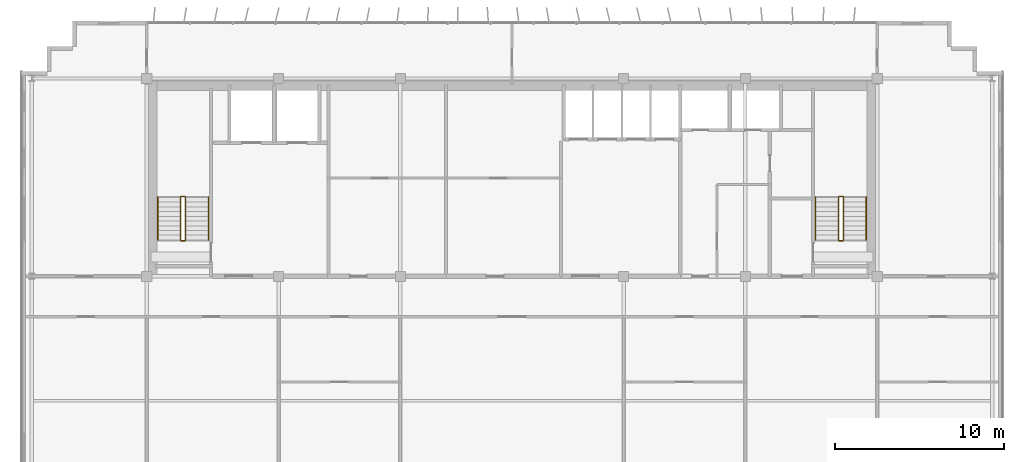
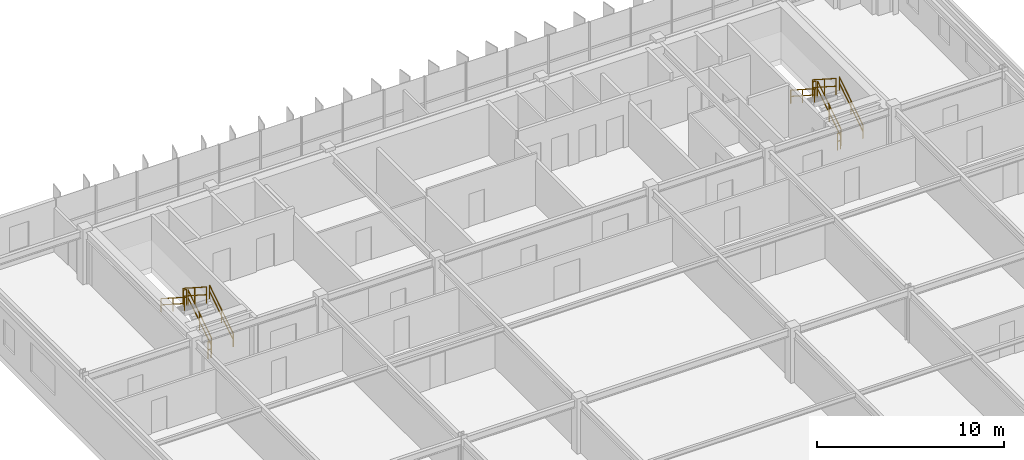
# One storey, part 21 of 21: 12 railings.
"""IFC4 building model written with IfcOpenShell, lengths in metres."""

from ifc_helpers import new_model, si_unit, direction, frame, origin, origin_2d, place, context, subcontext, project, spatial, rectangle, extrude, material, type_object, element, save


model = new_model("IFC4")

# Units and contexts
model_context = context("Model", 3, precision=1e-05, world=origin(), true_north=direction((0.0, 1.0)))
body_context = subcontext(model_context, "Body", "Model", "MODEL_VIEW")
ifc_project = project(units=[si_unit("LENGTHUNIT", "METRE"), si_unit("AREAUNIT", "SQUARE_METRE"), si_unit("VOLUMEUNIT", "CUBIC_METRE"), si_unit("PLANEANGLEUNIT", "RADIAN"), si_unit("MASSUNIT", "GRAM", prefix="KILO")], contexts=[model_context])

# Site, building, storey
site_placement = place(None, origin())
site = spatial("IfcSite", under=ifc_project, at=site_placement, CompositionType="ELEMENT")
building_placement = place(site_placement, origin())
building = spatial("IfcBuilding", under=site, at=building_placement, Name="Trelvane Seafront Commons", CompositionType="ELEMENT")
storey_placement = place(building_placement, frame((0.0, 0.0, 248.699951171875)))
storey = spatial("IfcBuildingStorey", under=building, at=storey_placement, Name="L64", CompositionType="ELEMENT", Elevation=248.699951171875)

# Railings
ifc_material = material(Name="Stainless steel balustrade", Category="steel")
railing_type_1 = type_object("IfcRailingType", Name="ARCH-SRL-GUARD", PredefinedType="GUARDRAIL", material=ifc_material)
railing_1_placement = place(storey_placement, frame((17.89990234375, 35.550048828125, 0.179931640625)))
element("IfcRailing", 1, at=railing_1_placement, inside=storey, type_object=railing_type_1, Name="L64 ST-1 stair guard 1", PredefinedType="GUARDRAIL", context=body_context, shape_type="SweptSolid", body=[
    extrude(rectangle(XDim=0.048095703125, YDim=0.048095703125, at=origin_2d()), frame((0.0, 0.0, 1.076171875), z_axis=(0.0, 0.841162588446, 0.540782303519), x_axis=(-1.0, 0.0, 0.0)), (0.0, 0.0, 1.0), 2.995849609375),
    extrude(rectangle(XDim=0.048095703125, YDim=0.048095703125, at=origin_2d()), frame((0.0, 0.0, 0.572021484375), z_axis=(0.0, 0.841162588446, 0.540782303519), x_axis=(-1.0, 0.0, 0.0)), (0.0, 0.0, 1.0), 2.995849609375),
    extrude(rectangle(XDim=0.0419921875, YDim=0.0419921875, at=origin_2d()), origin(), (0.0, 0.0, 1.0), 1.076171875),
    extrude(rectangle(XDim=0.0419921875, YDim=0.0419921875, at=origin_2d()), frame((0.0, 1.260009765625, 0.81005859375)), (0.0, 0.0, 1.0), 1.076171875),
    extrude(rectangle(XDim=0.0419921875, YDim=0.0419921875, at=origin_2d()), frame((0.0, 2.52001953125, 1.6201171875)), (0.0, 0.0, 1.0), 1.076171875),
])
railing_2_placement = place(storey_placement, frame((17.85009765625, 38.1201171875, 1.800048828125)))
element("IfcRailing", 2, at=railing_2_placement, inside=storey, type_object=railing_type_1, Name="L64 ST-1 stair guard 2", PredefinedType="GUARDRAIL", context=body_context, shape_type="SweptSolid", body=[
    extrude(rectangle(XDim=0.048095703125, YDim=0.048095703125, at=origin_2d()), frame((0.0, 0.0, 1.076171875), z_axis=(-1.0, 0.0, 0.0), x_axis=(0.0, -1.0, 0.0)), (0.0, 0.0, 1.0), 0.2001953125),
    extrude(rectangle(XDim=0.048095703125, YDim=0.048095703125, at=origin_2d()), frame((0.0, 0.0, 0.572021484375), z_axis=(-1.0, 0.0, 0.0), x_axis=(0.0, -1.0, 0.0)), (0.0, 0.0, 1.0), 0.2001953125),
    extrude(rectangle(XDim=0.0419921875, YDim=0.0419921875, at=origin_2d()), origin(), (0.0, 0.0, 1.0), 1.076171875),
    extrude(rectangle(XDim=0.0419921875, YDim=0.0419921875, at=origin_2d()), frame((-0.2001953125, 0.0, 0.0)), (0.0, 0.0, 1.0), 1.076171875),
])
railing_3_placement = place(storey_placement, frame((17.60009765625, 38.070068359375, 1.97998046875)))
element("IfcRailing", 3, at=railing_3_placement, inside=storey, type_object=railing_type_1, Name="L64 ST-1 stair guard 3", PredefinedType="GUARDRAIL", context=body_context, shape_type="SweptSolid", body=[
    extrude(rectangle(XDim=0.048095703125, YDim=0.048095703125, at=origin_2d()), frame((0.0, 0.0, 1.076171875), z_axis=(0.0, -0.841162588446, 0.540782303519), x_axis=(1.0, 0.0, 0.0)), (0.0, 0.0, 1.0), 2.995849609375),
    extrude(rectangle(XDim=0.048095703125, YDim=0.048095703125, at=origin_2d()), frame((0.0, 0.0, 0.572021484375), z_axis=(0.0, -0.841162588446, 0.540782303519), x_axis=(1.0, 0.0, 0.0)), (0.0, 0.0, 1.0), 2.995849609375),
    extrude(rectangle(XDim=0.0419921875, YDim=0.0419921875, at=origin_2d()), origin(), (0.0, 0.0, 1.0), 1.076171875),
    extrude(rectangle(XDim=0.0419921875, YDim=0.0419921875, at=origin_2d()), frame((0.0, -1.260009765625, 0.81005859375)), (0.0, 0.0, 1.0), 1.076171875),
    extrude(rectangle(XDim=0.0419921875, YDim=0.0419921875, at=origin_2d()), frame((0.0, -2.52001953125, 1.6201171875)), (0.0, 0.0, 1.0), 1.076171875),
])
railing_4_placement = place(storey_placement, frame((17.85009765625, 35.5, 0.0)))
element("IfcRailing", 4, at=railing_4_placement, inside=storey, type_object=railing_type_1, Name="L64 ST-1 stair guard 4", PredefinedType="GUARDRAIL", context=body_context, shape_type="SweptSolid", body=[
    extrude(rectangle(XDim=0.048095703125, YDim=0.048095703125, at=origin_2d()), frame((0.0, 0.0, 1.076171875), z_axis=(-1.0, 0.0, 0.0), x_axis=(0.0, -1.0, 0.0)), (0.0, 0.0, 1.0), 0.2001953125),
    extrude(rectangle(XDim=0.048095703125, YDim=0.048095703125, at=origin_2d()), frame((0.0, 0.0, 0.572021484375), z_axis=(-1.0, 0.0, 0.0), x_axis=(0.0, -1.0, 0.0)), (0.0, 0.0, 1.0), 0.2001953125),
    extrude(rectangle(XDim=0.0419921875, YDim=0.0419921875, at=origin_2d()), origin(), (0.0, 0.0, 1.0), 1.076171875),
    extrude(rectangle(XDim=0.0419921875, YDim=0.0419921875, at=origin_2d()), frame((-0.2001953125, 0.0, 0.0)), (0.0, 0.0, 1.0), 1.076171875),
])
railing_5_placement = place(storey_placement, frame((56.800048828125, 35.550048828125, 0.179931640625)))
element("IfcRailing", 5, at=railing_5_placement, inside=storey, type_object=railing_type_1, Name="L64 ST-2 stair guard 1", PredefinedType="GUARDRAIL", context=body_context, shape_type="SweptSolid", body=[
    extrude(rectangle(XDim=0.048095703125, YDim=0.048095703125, at=origin_2d()), frame((0.0, 0.0, 1.076171875), z_axis=(0.0, 0.841162588446, 0.540782303519), x_axis=(-1.0, 0.0, 0.0)), (0.0, 0.0, 1.0), 2.995849609375),
    extrude(rectangle(XDim=0.048095703125, YDim=0.048095703125, at=origin_2d()), frame((0.0, 0.0, 0.572021484375), z_axis=(0.0, 0.841162588446, 0.540782303519), x_axis=(-1.0, 0.0, 0.0)), (0.0, 0.0, 1.0), 2.995849609375),
    extrude(rectangle(XDim=0.0419921875, YDim=0.0419921875, at=origin_2d()), origin(), (0.0, 0.0, 1.0), 1.076171875),
    extrude(rectangle(XDim=0.0419921875, YDim=0.0419921875, at=origin_2d()), frame((0.0, 1.260009765625, 0.81005859375)), (0.0, 0.0, 1.0), 1.076171875),
    extrude(rectangle(XDim=0.0419921875, YDim=0.0419921875, at=origin_2d()), frame((0.0, 2.52001953125, 1.6201171875)), (0.0, 0.0, 1.0), 1.076171875),
])
railing_6_placement = place(storey_placement, frame((56.75, 38.1201171875, 1.800048828125)))
element("IfcRailing", 6, at=railing_6_placement, inside=storey, type_object=railing_type_1, Name="L64 ST-2 stair guard 2", PredefinedType="GUARDRAIL", context=body_context, shape_type="SweptSolid", body=[
    extrude(rectangle(XDim=0.048095703125, YDim=0.048095703125, at=origin_2d()), frame((0.0, 0.0, 1.076171875), z_axis=(-1.0, 0.0, 0.0), x_axis=(0.0, -1.0, 0.0)), (0.0, 0.0, 1.0), 0.199951171875),
    extrude(rectangle(XDim=0.048095703125, YDim=0.048095703125, at=origin_2d()), frame((0.0, 0.0, 0.572021484375), z_axis=(-1.0, 0.0, 0.0), x_axis=(0.0, -1.0, 0.0)), (0.0, 0.0, 1.0), 0.199951171875),
    extrude(rectangle(XDim=0.0419921875, YDim=0.0419921875, at=origin_2d()), origin(), (0.0, 0.0, 1.0), 1.076171875),
    extrude(rectangle(XDim=0.0419921875, YDim=0.0419921875, at=origin_2d()), frame((-0.199951171875, 0.0, 0.0)), (0.0, 0.0, 1.0), 1.076171875),
])
railing_7_placement = place(storey_placement, frame((56.5, 38.070068359375, 1.97998046875)))
element("IfcRailing", 7, at=railing_7_placement, inside=storey, type_object=railing_type_1, Name="L64 ST-2 stair guard 3", PredefinedType="GUARDRAIL", context=body_context, shape_type="SweptSolid", body=[
    extrude(rectangle(XDim=0.048095703125, YDim=0.048095703125, at=origin_2d()), frame((0.0, 0.0, 1.076171875), z_axis=(0.0, -0.841162588446, 0.540782303519), x_axis=(1.0, 0.0, 0.0)), (0.0, 0.0, 1.0), 2.995849609375),
    extrude(rectangle(XDim=0.048095703125, YDim=0.048095703125, at=origin_2d()), frame((0.0, 0.0, 0.572021484375), z_axis=(0.0, -0.841162588446, 0.540782303519), x_axis=(1.0, 0.0, 0.0)), (0.0, 0.0, 1.0), 2.995849609375),
    extrude(rectangle(XDim=0.0419921875, YDim=0.0419921875, at=origin_2d()), origin(), (0.0, 0.0, 1.0), 1.076171875),
    extrude(rectangle(XDim=0.0419921875, YDim=0.0419921875, at=origin_2d()), frame((0.0, -1.260009765625, 0.81005859375)), (0.0, 0.0, 1.0), 1.076171875),
    extrude(rectangle(XDim=0.0419921875, YDim=0.0419921875, at=origin_2d()), frame((0.0, -2.52001953125, 1.6201171875)), (0.0, 0.0, 1.0), 1.076171875),
])
railing_8_placement = place(storey_placement, frame((56.75, 35.5, 0.0)))
element("IfcRailing", 8, at=railing_8_placement, inside=storey, type_object=railing_type_1, Name="L64 ST-2 stair guard 4", PredefinedType="GUARDRAIL", context=body_context, shape_type="SweptSolid", body=[
    extrude(rectangle(XDim=0.048095703125, YDim=0.048095703125, at=origin_2d()), frame((0.0, 0.0, 1.076171875), z_axis=(-1.0, 0.0, 0.0), x_axis=(0.0, -1.0, 0.0)), (0.0, 0.0, 1.0), 0.199951171875),
    extrude(rectangle(XDim=0.048095703125, YDim=0.048095703125, at=origin_2d()), frame((0.0, 0.0, 0.572021484375), z_axis=(-1.0, 0.0, 0.0), x_axis=(0.0, -1.0, 0.0)), (0.0, 0.0, 1.0), 0.199951171875),
    extrude(rectangle(XDim=0.0419921875, YDim=0.0419921875, at=origin_2d()), origin(), (0.0, 0.0, 1.0), 1.076171875),
    extrude(rectangle(XDim=0.0419921875, YDim=0.0419921875, at=origin_2d()), frame((-0.199951171875, 0.0, 0.0)), (0.0, 0.0, 1.0), 1.076171875),
])
railing_type_2 = type_object("IfcRailingType", Name="ARCH-SRL-HAND", PredefinedType="HANDRAIL", material=ifc_material)
railing_9_placement = place(storey_placement, frame((19.25, 35.550048828125, 0.179931640625)))
element("IfcRailing", 9, at=railing_9_placement, inside=storey, type_object=railing_type_2, Name="L64 ST-1 stair handrail 1", PredefinedType="HANDRAIL", context=body_context, shape_type="SweptSolid", body=[
    extrude(rectangle(XDim=0.048095703125, YDim=0.048095703125, at=origin_2d()), frame((0.0, 0.0, 0.8759765625), z_axis=(0.0, 0.841162588446, 0.540782303519), x_axis=(-1.0, 0.0, 0.0)), (0.0, 0.0, 1.0), 2.995849609375),
    extrude(rectangle(XDim=0.048095703125, YDim=0.048095703125, at=origin_2d()), frame((0.0, 0.0, 0.468017578125), z_axis=(0.0, 0.841162588446, 0.540782303519), x_axis=(-1.0, 0.0, 0.0)), (0.0, 0.0, 1.0), 2.995849609375),
    extrude(rectangle(XDim=0.0419921875, YDim=0.0419921875, at=origin_2d()), origin(), (0.0, 0.0, 1.0), 0.8759765625),
    extrude(rectangle(XDim=0.0419921875, YDim=0.0419921875, at=origin_2d()), frame((0.0, 1.260009765625, 0.81005859375)), (0.0, 0.0, 1.0), 0.8759765625),
    extrude(rectangle(XDim=0.0419921875, YDim=0.0419921875, at=origin_2d()), frame((0.0, 2.52001953125, 1.6201171875)), (0.0, 0.0, 1.0), 0.8759765625),
])
railing_10_placement = place(storey_placement, frame((16.25, 38.070068359375, 1.97998046875)))
element("IfcRailing", 10, at=railing_10_placement, inside=storey, type_object=railing_type_2, Name="L64 ST-1 stair handrail 2", PredefinedType="HANDRAIL", context=body_context, shape_type="SweptSolid", body=[
    extrude(rectangle(XDim=0.048095703125, YDim=0.048095703125, at=origin_2d()), frame((0.0, 0.0, 0.8759765625), z_axis=(0.0, -0.841162588446, 0.540782303519), x_axis=(1.0, 0.0, 0.0)), (0.0, 0.0, 1.0), 2.995849609375),
    extrude(rectangle(XDim=0.048095703125, YDim=0.048095703125, at=origin_2d()), frame((0.0, 0.0, 0.468017578125), z_axis=(0.0, -0.841162588446, 0.540782303519), x_axis=(1.0, 0.0, 0.0)), (0.0, 0.0, 1.0), 2.995849609375),
    extrude(rectangle(XDim=0.0419921875, YDim=0.0419921875, at=origin_2d()), origin(), (0.0, 0.0, 1.0), 0.8759765625),
    extrude(rectangle(XDim=0.0419921875, YDim=0.0419921875, at=origin_2d()), frame((0.0, -1.260009765625, 0.81005859375)), (0.0, 0.0, 1.0), 0.8759765625),
    extrude(rectangle(XDim=0.0419921875, YDim=0.0419921875, at=origin_2d()), frame((0.0, -2.52001953125, 1.6201171875)), (0.0, 0.0, 1.0), 0.8759765625),
])
railing_11_placement = place(storey_placement, frame((58.14990234375, 35.550048828125, 0.179931640625)))
element("IfcRailing", 11, at=railing_11_placement, inside=storey, type_object=railing_type_2, Name="L64 ST-2 stair handrail 1", PredefinedType="HANDRAIL", context=body_context, shape_type="SweptSolid", body=[
    extrude(rectangle(XDim=0.048095703125, YDim=0.048095703125, at=origin_2d()), frame((0.0, 0.0, 0.8759765625), z_axis=(0.0, 0.841162588446, 0.540782303519), x_axis=(-1.0, 0.0, 0.0)), (0.0, 0.0, 1.0), 2.995849609375),
    extrude(rectangle(XDim=0.048095703125, YDim=0.048095703125, at=origin_2d()), frame((0.0, 0.0, 0.468017578125), z_axis=(0.0, 0.841162588446, 0.540782303519), x_axis=(-1.0, 0.0, 0.0)), (0.0, 0.0, 1.0), 2.995849609375),
    extrude(rectangle(XDim=0.0419921875, YDim=0.0419921875, at=origin_2d()), origin(), (0.0, 0.0, 1.0), 0.8759765625),
    extrude(rectangle(XDim=0.0419921875, YDim=0.0419921875, at=origin_2d()), frame((0.0, 1.260009765625, 0.81005859375)), (0.0, 0.0, 1.0), 0.8759765625),
    extrude(rectangle(XDim=0.0419921875, YDim=0.0419921875, at=origin_2d()), frame((0.0, 2.52001953125, 1.6201171875)), (0.0, 0.0, 1.0), 0.8759765625),
])
railing_12_placement = place(storey_placement, frame((55.14990234375, 38.070068359375, 1.97998046875)))
element("IfcRailing", 12, at=railing_12_placement, inside=storey, type_object=railing_type_2, Name="L64 ST-2 stair handrail 2", PredefinedType="HANDRAIL", context=body_context, shape_type="SweptSolid", body=[
    extrude(rectangle(XDim=0.048095703125, YDim=0.048095703125, at=origin_2d()), frame((0.0, 0.0, 0.8759765625), z_axis=(0.0, -0.841162588446, 0.540782303519), x_axis=(1.0, 0.0, 0.0)), (0.0, 0.0, 1.0), 2.995849609375),
    extrude(rectangle(XDim=0.048095703125, YDim=0.048095703125, at=origin_2d()), frame((0.0, 0.0, 0.468017578125), z_axis=(0.0, -0.841162588446, 0.540782303519), x_axis=(1.0, 0.0, 0.0)), (0.0, 0.0, 1.0), 2.995849609375),
    extrude(rectangle(XDim=0.0419921875, YDim=0.0419921875, at=origin_2d()), origin(), (0.0, 0.0, 1.0), 0.8759765625),
    extrude(rectangle(XDim=0.0419921875, YDim=0.0419921875, at=origin_2d()), frame((0.0, -1.260009765625, 0.81005859375)), (0.0, 0.0, 1.0), 0.8759765625),
    extrude(rectangle(XDim=0.0419921875, YDim=0.0419921875, at=origin_2d()), frame((0.0, -2.52001953125, 1.6201171875)), (0.0, 0.0, 1.0), 0.8759765625),
])

save(model, "model.ifc")
